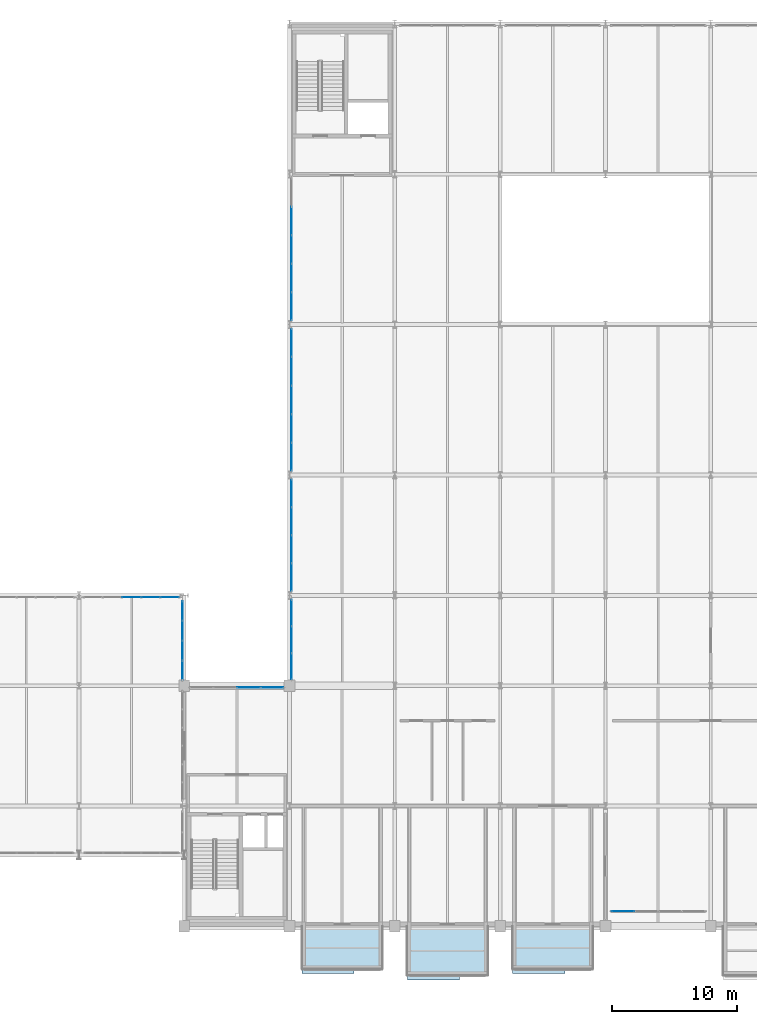
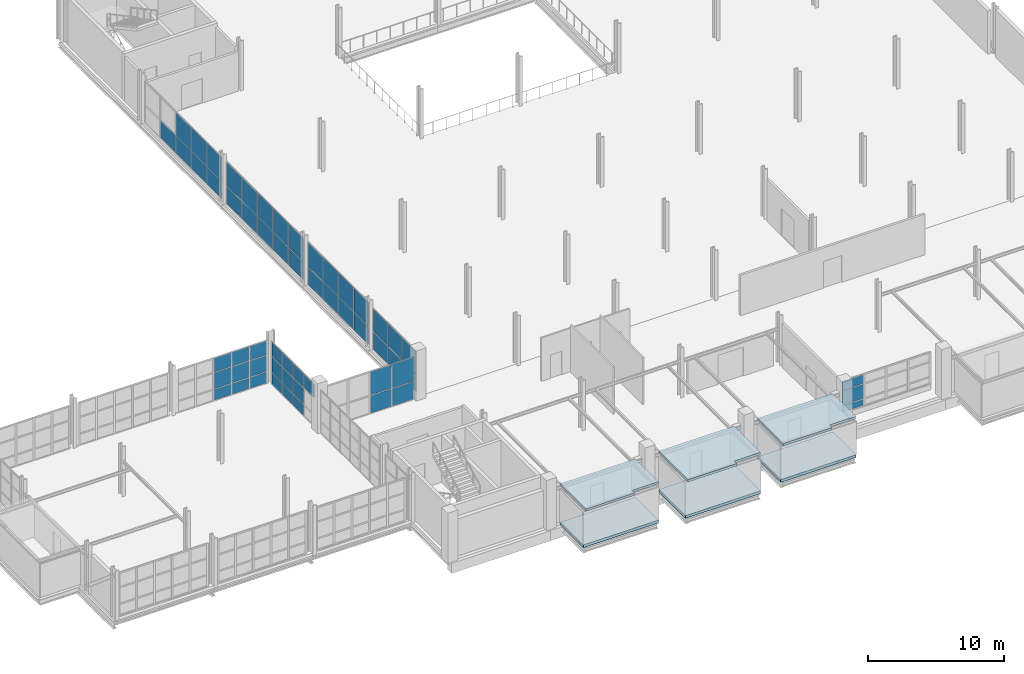
# One storey, part 87 of 109: 57 plates, 6 slabs, 8 elements without a shape of their own.
"""IFC4 building model written with IfcOpenShell, lengths in metres."""

from ifc_helpers import new_model, si_unit, direction, frame, origin, origin_2d, place, context, subcontext, project, spatial, polyline, rectangle, outline, extrude, material, layer, layer_set, type_object, element, aggregate, save


model = new_model("IFC4")

# Units and contexts
model_context = context("Model", 3, precision=1e-05, world=origin(), true_north=direction((0.0, 1.0)))
body_context = subcontext(model_context, "Body", "Model", "MODEL_VIEW")
ifc_project = project(units=[si_unit("LENGTHUNIT", "METRE"), si_unit("AREAUNIT", "SQUARE_METRE"), si_unit("VOLUMEUNIT", "CUBIC_METRE"), si_unit("PLANEANGLEUNIT", "RADIAN"), si_unit("MASSUNIT", "GRAM", prefix="KILO")], contexts=[model_context])

# Site, building, storey
site_placement = place(None, origin())
site = spatial("IfcSite", under=ifc_project, at=site_placement, CompositionType="ELEMENT")
building_placement = place(site_placement, origin())
building = spatial("IfcBuilding", under=site, at=building_placement, Name="Veltarok Museum of Natural Sciences", CompositionType="ELEMENT")
storey_placement = place(building_placement, frame((0.0, 0.0, 17.39990234375)))
storey = spatial("IfcBuildingStorey", under=building, at=storey_placement, Name="L03", CompositionType="ELEMENT", Elevation=17.39990234375)

# Slabs
ifc_material_1 = material(Name="Concrete C35/45", Category="concrete")
ifc_layer_1 = layer(ifc_material_1, 0.199951171875)
ifc_layer_set_1 = layer_set([ifc_layer_1], Name="Concrete C35/45")
slab_type_1 = type_object("IfcSlabType", Name="Cantilevered Cabinet Box Roof Slab 200", PredefinedType="ROOF", material=ifc_layer_set_1)
slab_1_placement = place(storey_placement, frame((0.0, 0.0, 3.25)))
element("IfcSlab", 1, at=slab_1_placement, inside=storey, type_object=slab_type_1, Name="Cabinet Box Roof Slab DB-13", PredefinedType="ROOF", context=body_context, shape_type="SweptSolid", body=[
    extrude(outline(polyline([(41.0, -3.780029296875), (45.159912109375, -3.780029296875), (45.159912109375, -3.39990234375), (47.39990234375, -3.39990234375), (47.39990234375, 0.0), (41.0, 0.0), (41.0, -3.780029296875)])), origin(), (0.0, 0.0, 1.0), 0.2001953125),
])
slab_2_placement = place(storey_placement, frame((0.0, 0.0, 3.25)))
element("IfcSlab", 2, at=slab_2_placement, inside=storey, type_object=slab_type_1, Name="Cabinet Box Roof Slab DB-14", PredefinedType="ROOF", context=body_context, shape_type="SweptSolid", body=[
    extrude(outline(polyline([(49.39990234375, -4.280029296875), (53.56005859375, -4.280029296875), (53.56005859375, -3.89990234375), (55.800048828125, -3.89990234375), (55.800048828125, 0.0), (49.39990234375, 0.0), (49.39990234375, -4.280029296875)])), origin(), (0.0, 0.0, 1.0), 0.2001953125),
])
slab_3_placement = place(storey_placement, frame((0.0, 0.0, 3.25)))
element("IfcSlab", 3, at=slab_3_placement, inside=storey, type_object=slab_type_1, Name="Cabinet Box Roof Slab DB-15", PredefinedType="ROOF", context=body_context, shape_type="SweptSolid", body=[
    extrude(outline(polyline([(57.800048828125, -3.780029296875), (61.9599609375, -3.780029296875), (61.9599609375, -3.39990234375), (64.199951171875, -3.39990234375), (64.199951171875, 0.0), (57.800048828125, 0.0), (57.800048828125, -3.780029296875)])), origin(), (0.0, 0.0, 1.0), 0.2001953125),
])
ifc_layer_2 = layer(ifc_material_1, 0.25)
ifc_layer_set_2 = layer_set([ifc_layer_2], Name="Concrete C35/45")
slab_type_2 = type_object("IfcSlabType", Name="Suspended Museum Floor Slab 250", PredefinedType="FLOOR", material=ifc_layer_set_2)
slab_4_placement = place(storey_placement, frame((0.0, 0.0, -0.25)))
element("IfcSlab", 4, at=slab_4_placement, inside=storey, type_object=slab_type_2, Name="Cabinet Box Floor Slab DB-13", PredefinedType="FLOOR", context=body_context, shape_type="SweptSolid", body=[
    extrude(outline(polyline([(41.0, -3.39990234375), (47.39990234375, -3.39990234375), (47.39990234375, 0.0), (41.0, 0.0), (41.0, -3.39990234375)])), origin(), (0.0, 0.0, 1.0), 0.25),
])
slab_5_placement = place(storey_placement, frame((0.0, 0.0, -0.25)))
element("IfcSlab", 5, at=slab_5_placement, inside=storey, type_object=slab_type_2, Name="Cabinet Box Floor Slab DB-14", PredefinedType="FLOOR", context=body_context, shape_type="SweptSolid", body=[
    extrude(outline(polyline([(49.39990234375, -3.89990234375), (55.800048828125, -3.89990234375), (55.800048828125, 0.0), (49.39990234375, 0.0), (49.39990234375, -3.89990234375)])), origin(), (0.0, 0.0, 1.0), 0.25),
])
slab_6_placement = place(storey_placement, frame((0.0, 0.0, -0.25)))
element("IfcSlab", 6, at=slab_6_placement, inside=storey, type_object=slab_type_2, Name="Cabinet Box Floor Slab DB-15", PredefinedType="FLOOR", context=body_context, shape_type="SweptSolid", body=[
    extrude(outline(polyline([(57.800048828125, -3.39990234375), (64.199951171875, -3.39990234375), (64.199951171875, 0.0), (57.800048828125, 0.0), (57.800048828125, -3.39990234375)])), origin(), (0.0, 0.0, 1.0), 0.25),
])

# Curtain wall, plates
ifc_material_2 = material(Name="Low-iron triple insulated glass", Category="glass")
curtain_wall_type_1 = type_object("IfcCurtainWallType", Name="Curtain Wall System CW-CAB-L03-A-755x288 (V1 Recessed L03 755x288cm)", PredefinedType="NOTDEFINED", material=ifc_material_2)
curtain_wall_1_placement = place(storey_placement, origin())
curtain_wall_1 = element("IfcCurtainWall", 7, at=curtain_wall_1_placement, inside=storey, type_object=curtain_wall_type_1, Name="Curtain Wall CW-CAB-L03-A-755x288 CW-0005", PredefinedType="NOTDEFINED")
ifc_layer_3 = layer(ifc_material_2, 0.028076171875)
ifc_layer_set_3 = layer_set([ifc_layer_3], Name="Low-iron triple insulated glass")
plate_type = type_object("IfcPlateType", Name="Triple Low-Iron Glazed Vision Panel 28", PredefinedType="CURTAIN_PANEL", material=ifc_layer_set_3)
plate_1_placement = place(storey_placement, frame((66.583740234375, 1.199951171875, 0.52001953125), z_axis=(0.0, 0.0, 1.0), x_axis=(1.0, 0.0, 0.0)))
plate_1 = element("IfcPlate", 8, at=plate_1_placement, type_object=plate_type, Name="CW-CAB-L03-A-755x288 panel 1.1", PredefinedType="CURTAIN_PANEL", context=body_context, shape_type="SweptSolid", body=[
    extrude(rectangle(XDim=1.797607421875, YDim=0.028076171875, at=origin_2d()), origin(), (0.0, 0.0, 1.0), 0.550048828125),
])
plate_2_placement = place(storey_placement, frame((66.583740234375, 1.199951171875, 1.130126953125), z_axis=(0.0, 0.0, 1.0), x_axis=(1.0, 0.0, 0.0)))
plate_2 = element("IfcPlate", 9, at=plate_2_placement, type_object=plate_type, Name="CW-CAB-L03-A-755x288 panel 1.2", PredefinedType="CURTAIN_PANEL", context=body_context, shape_type="SweptSolid", body=[
    extrude(rectangle(XDim=1.797607421875, YDim=0.028076171875, at=origin_2d()), origin(), (0.0, 0.0, 1.0), 1.2900390625),
])
plate_3_placement = place(storey_placement, frame((66.583740234375, 1.199951171875, 2.480224609375), z_axis=(0.0, 0.0, 1.0), x_axis=(1.0, 0.0, 0.0)))
plate_3 = element("IfcPlate", 10, at=plate_3_placement, type_object=plate_type, Name="CW-CAB-L03-A-755x288 panel 1.3", PredefinedType="CURTAIN_PANEL", context=body_context, shape_type="SweptSolid", body=[
    extrude(rectangle(XDim=1.797607421875, YDim=0.028076171875, at=origin_2d()), origin(), (0.0, 0.0, 1.0), 0.794921875),
])
aggregate(curtain_wall_1, [plate_1, plate_2, plate_3])

curtain_wall_type_2 = type_object("IfcCurtainWallType", Name="Curtain Wall System CW-BRG-E-L03-CD-636x388 (Bridge East Court L03 CD 636x388cm)", PredefinedType="NOTDEFINED", material=ifc_material_2)
curtain_wall_2_placement = place(storey_placement, origin())
curtain_wall_2 = element("IfcCurtainWall", 11, at=curtain_wall_2_placement, inside=storey, type_object=curtain_wall_type_2, Name="Curtain Wall CW-BRG-E-L03-CD-636x388 CW-0042", PredefinedType="NOTDEFINED")
plate_4_placement = place(storey_placement, frame((31.449951171875, 20.429931640625, 2.580078125), z_axis=(0.0, 0.0, 1.0), x_axis=(0.0, 1.0, 0.0)))
plate_4 = element("IfcPlate", 12, at=plate_4_placement, type_object=plate_type, Name="CW-BRG-E-L03-CD-636x388 panel 1.3", PredefinedType="CURTAIN_PANEL", context=body_context, shape_type="SweptSolid", body=[
    extrude(rectangle(XDim=1.5, YDim=0.028076171875, at=origin_2d()), origin(), (0.0, 0.0, 1.0), 1.239990234375),
])
plate_5_placement = place(storey_placement, frame((31.449951171875, 22.0048828125, 0.06005859375), z_axis=(0.0, 0.0, 1.0), x_axis=(0.0, 1.0, 0.0)))
plate_5 = element("IfcPlate", 13, at=plate_5_placement, type_object=plate_type, Name="CW-BRG-E-L03-CD-636x388 panel 2.1", PredefinedType="CURTAIN_PANEL", context=body_context, shape_type="SweptSolid", body=[
    extrude(rectangle(XDim=1.530029296875, YDim=0.028076171875, at=origin_2d()), origin(), (0.0, 0.0, 1.0), 0.9599609375),
])
plate_6_placement = place(storey_placement, frame((31.449951171875, 22.0048828125, 1.080078125), z_axis=(0.0, 0.0, 1.0), x_axis=(0.0, 1.0, 0.0)))
plate_6 = element("IfcPlate", 14, at=plate_6_placement, type_object=plate_type, Name="CW-BRG-E-L03-CD-636x388 panel 2.2", PredefinedType="CURTAIN_PANEL", context=body_context, shape_type="SweptSolid", body=[
    extrude(rectangle(XDim=1.530029296875, YDim=0.028076171875, at=origin_2d()), origin(), (0.0, 0.0, 1.0), 1.43994140625),
])
plate_7_placement = place(storey_placement, frame((31.449951171875, 22.0048828125, 2.580078125), z_axis=(0.0, 0.0, 1.0), x_axis=(0.0, 1.0, 0.0)))
plate_7 = element("IfcPlate", 15, at=plate_7_placement, type_object=plate_type, Name="CW-BRG-E-L03-CD-636x388 panel 2.3", PredefinedType="CURTAIN_PANEL", context=body_context, shape_type="SweptSolid", body=[
    extrude(rectangle(XDim=1.530029296875, YDim=0.028076171875, at=origin_2d()), origin(), (0.0, 0.0, 1.0), 1.239990234375),
])
plate_8_placement = place(storey_placement, frame((31.449951171875, 23.594970703125, 0.06005859375), z_axis=(0.0, 0.0, 1.0), x_axis=(0.0, 1.0, 0.0)))
plate_8 = element("IfcPlate", 16, at=plate_8_placement, type_object=plate_type, Name="CW-BRG-E-L03-CD-636x388 panel 3.1", PredefinedType="CURTAIN_PANEL", context=body_context, shape_type="SweptSolid", body=[
    extrude(rectangle(XDim=1.530029296875, YDim=0.028076171875, at=origin_2d()), origin(), (0.0, 0.0, 1.0), 0.9599609375),
])
plate_9_placement = place(storey_placement, frame((31.449951171875, 23.594970703125, 1.080078125), z_axis=(0.0, 0.0, 1.0), x_axis=(0.0, 1.0, 0.0)))
plate_9 = element("IfcPlate", 17, at=plate_9_placement, type_object=plate_type, Name="CW-BRG-E-L03-CD-636x388 panel 3.2", PredefinedType="CURTAIN_PANEL", context=body_context, shape_type="SweptSolid", body=[
    extrude(rectangle(XDim=1.530029296875, YDim=0.028076171875, at=origin_2d()), origin(), (0.0, 0.0, 1.0), 1.43994140625),
])
plate_10_placement = place(storey_placement, frame((31.449951171875, 23.594970703125, 2.580078125), z_axis=(0.0, 0.0, 1.0), x_axis=(0.0, 1.0, 0.0)))
plate_10 = element("IfcPlate", 18, at=plate_10_placement, type_object=plate_type, Name="CW-BRG-E-L03-CD-636x388 panel 3.3", PredefinedType="CURTAIN_PANEL", context=body_context, shape_type="SweptSolid", body=[
    extrude(rectangle(XDim=1.530029296875, YDim=0.028076171875, at=origin_2d()), origin(), (0.0, 0.0, 1.0), 1.239990234375),
])
plate_11_placement = place(storey_placement, frame((31.449951171875, 25.169921875, 0.06005859375), z_axis=(0.0, 0.0, 1.0), x_axis=(0.0, 1.0, 0.0)))
plate_11 = element("IfcPlate", 19, at=plate_11_placement, type_object=plate_type, Name="CW-BRG-E-L03-CD-636x388 panel 4.1", PredefinedType="CURTAIN_PANEL", context=body_context, shape_type="SweptSolid", body=[
    extrude(rectangle(XDim=1.5, YDim=0.028076171875, at=origin_2d()), origin(), (0.0, 0.0, 1.0), 0.9599609375),
])
plate_12_placement = place(storey_placement, frame((31.449951171875, 25.169921875, 1.080078125), z_axis=(0.0, 0.0, 1.0), x_axis=(0.0, 1.0, 0.0)))
plate_12 = element("IfcPlate", 20, at=plate_12_placement, type_object=plate_type, Name="CW-BRG-E-L03-CD-636x388 panel 4.2", PredefinedType="CURTAIN_PANEL", context=body_context, shape_type="SweptSolid", body=[
    extrude(rectangle(XDim=1.5, YDim=0.028076171875, at=origin_2d()), origin(), (0.0, 0.0, 1.0), 1.43994140625),
])
plate_13_placement = place(storey_placement, frame((31.449951171875, 25.169921875, 2.580078125), z_axis=(0.0, 0.0, 1.0), x_axis=(0.0, 1.0, 0.0)))
plate_13 = element("IfcPlate", 21, at=plate_13_placement, type_object=plate_type, Name="CW-BRG-E-L03-CD-636x388 panel 4.3", PredefinedType="CURTAIN_PANEL", context=body_context, shape_type="SweptSolid", body=[
    extrude(rectangle(XDim=1.5, YDim=0.028076171875, at=origin_2d()), origin(), (0.0, 0.0, 1.0), 1.239990234375),
])
aggregate(curtain_wall_2, [plate_4, plate_5, plate_6, plate_7, plate_8, plate_9, plate_10, plate_11, plate_12, plate_13])

curtain_wall_type_3 = type_object("IfcCurtainWallType", Name="Curtain Wall System CW-BRG-N-L03-3-768x388 (Bridge North Court L03 3-4 768x388cm)", PredefinedType="NOTDEFINED", material=ifc_material_2)
curtain_wall_3_placement = place(storey_placement, origin())
curtain_wall_3 = element("IfcCurtainWall", 22, at=curtain_wall_3_placement, inside=storey, type_object=curtain_wall_type_3, Name="Curtain Wall CW-BRG-N-L03-3-768x388 CW-0045", PredefinedType="NOTDEFINED")
plate_14_placement = place(storey_placement, frame((30.45703125, 26.25, 0.06005859375), z_axis=(0.0, 0.0, 1.0), x_axis=(-1.0, 0.0, 0.0)))
plate_14 = element("IfcPlate", 23, at=plate_14_placement, type_object=plate_type, Name="CW-BRG-N-L03-3-768x388 panel 1.1", PredefinedType="CURTAIN_PANEL", context=body_context, shape_type="SweptSolid", body=[
    extrude(rectangle(XDim=1.446044921875, YDim=0.028076171875, at=origin_2d()), origin(), (0.0, 0.0, 1.0), 0.9599609375),
])
plate_15_placement = place(storey_placement, frame((30.45703125, 26.25, 1.080078125), z_axis=(0.0, 0.0, 1.0), x_axis=(-1.0, 0.0, 0.0)))
plate_15 = element("IfcPlate", 24, at=plate_15_placement, type_object=plate_type, Name="CW-BRG-N-L03-3-768x388 panel 1.2", PredefinedType="CURTAIN_PANEL", context=body_context, shape_type="SweptSolid", body=[
    extrude(rectangle(XDim=1.446044921875, YDim=0.028076171875, at=origin_2d()), origin(), (0.0, 0.0, 1.0), 1.43994140625),
])
plate_16_placement = place(storey_placement, frame((30.45703125, 26.25, 2.580078125), z_axis=(0.0, 0.0, 1.0), x_axis=(-1.0, 0.0, 0.0)))
plate_16 = element("IfcPlate", 25, at=plate_16_placement, type_object=plate_type, Name="CW-BRG-N-L03-3-768x388 panel 1.3", PredefinedType="CURTAIN_PANEL", context=body_context, shape_type="SweptSolid", body=[
    extrude(rectangle(XDim=1.446044921875, YDim=0.028076171875, at=origin_2d()), origin(), (0.0, 0.0, 1.0), 1.239990234375),
])
plate_17_placement = place(storey_placement, frame((28.93603515625, 26.25, 0.06005859375), z_axis=(0.0, 0.0, 1.0), x_axis=(-1.0, 0.0, 0.0)))
plate_17 = element("IfcPlate", 26, at=plate_17_placement, type_object=plate_type, Name="CW-BRG-N-L03-3-768x388 panel 2.1", PredefinedType="CURTAIN_PANEL", context=body_context, shape_type="SweptSolid", body=[
    extrude(rectangle(XDim=1.47607421875, YDim=0.028076171875, at=origin_2d()), origin(), (0.0, 0.0, 1.0), 0.9599609375),
])
plate_18_placement = place(storey_placement, frame((28.93603515625, 26.25, 1.080078125), z_axis=(0.0, 0.0, 1.0), x_axis=(-1.0, 0.0, 0.0)))
plate_18 = element("IfcPlate", 27, at=plate_18_placement, type_object=plate_type, Name="CW-BRG-N-L03-3-768x388 panel 2.2", PredefinedType="CURTAIN_PANEL", context=body_context, shape_type="SweptSolid", body=[
    extrude(rectangle(XDim=1.47607421875, YDim=0.028076171875, at=origin_2d()), origin(), (0.0, 0.0, 1.0), 1.43994140625),
])
plate_19_placement = place(storey_placement, frame((28.93603515625, 26.25, 2.580078125), z_axis=(0.0, 0.0, 1.0), x_axis=(-1.0, 0.0, 0.0)))
plate_19 = element("IfcPlate", 28, at=plate_19_placement, type_object=plate_type, Name="CW-BRG-N-L03-3-768x388 panel 2.3", PredefinedType="CURTAIN_PANEL", context=body_context, shape_type="SweptSolid", body=[
    extrude(rectangle(XDim=1.47607421875, YDim=0.028076171875, at=origin_2d()), origin(), (0.0, 0.0, 1.0), 1.239990234375),
])
plate_20_placement = place(storey_placement, frame((27.39990234375, 26.25, 0.06005859375), z_axis=(0.0, 0.0, 1.0), x_axis=(-1.0, 0.0, 0.0)))
plate_20 = element("IfcPlate", 29, at=plate_20_placement, type_object=plate_type, Name="CW-BRG-N-L03-3-768x388 panel 3.1", PredefinedType="CURTAIN_PANEL", context=body_context, shape_type="SweptSolid", body=[
    extrude(rectangle(XDim=1.47607421875, YDim=0.028076171875, at=origin_2d()), origin(), (0.0, 0.0, 1.0), 0.9599609375),
])
plate_21_placement = place(storey_placement, frame((27.39990234375, 26.25, 1.080078125), z_axis=(0.0, 0.0, 1.0), x_axis=(-1.0, 0.0, 0.0)))
plate_21 = element("IfcPlate", 30, at=plate_21_placement, type_object=plate_type, Name="CW-BRG-N-L03-3-768x388 panel 3.2", PredefinedType="CURTAIN_PANEL", context=body_context, shape_type="SweptSolid", body=[
    extrude(rectangle(XDim=1.47607421875, YDim=0.028076171875, at=origin_2d()), origin(), (0.0, 0.0, 1.0), 1.43994140625),
])
plate_22_placement = place(storey_placement, frame((27.39990234375, 26.25, 2.580078125), z_axis=(0.0, 0.0, 1.0), x_axis=(-1.0, 0.0, 0.0)))
plate_22 = element("IfcPlate", 31, at=plate_22_placement, type_object=plate_type, Name="CW-BRG-N-L03-3-768x388 panel 3.3", PredefinedType="CURTAIN_PANEL", context=body_context, shape_type="SweptSolid", body=[
    extrude(rectangle(XDim=1.47607421875, YDim=0.028076171875, at=origin_2d()), origin(), (0.0, 0.0, 1.0), 1.239990234375),
])
aggregate(curtain_wall_3, [plate_14, plate_15, plate_16, plate_17, plate_18, plate_19, plate_20, plate_21, plate_22])

curtain_wall_type_4 = type_object("IfcCurtainWallType", Name="Curtain Wall System CW-V2W-L03-3-645x373 (CW-V2W L03 645x373cm)", PredefinedType="NOTDEFINED", material=ifc_material_2)
curtain_wall_4_placement = place(storey_placement, origin())
curtain_wall_4 = element("IfcCurtainWall", 32, at=curtain_wall_4_placement, inside=storey, type_object=curtain_wall_type_4, Name="Curtain Wall CW-V2W-L03-3-645x373 CW-0143", PredefinedType="NOTDEFINED")
plate_23_placement = place(storey_placement, frame((40.14990234375, 20.739990234375, 0.05810546875), z_axis=(0.0, 0.0, 1.0), x_axis=(0.0, 1.0, 0.0)))
plate_23 = element("IfcPlate", 33, at=plate_23_placement, type_object=plate_type, Name="CW-V2W-L03-3-645x373 panel 1.1", PredefinedType="CURTAIN_PANEL", context=body_context, shape_type="SweptSolid", body=[
    extrude(rectangle(XDim=2.06005859375, YDim=0.028076171875, at=origin_2d()), origin(), (0.0, 0.0, 1.0), 1.56005859375),
])
plate_24_placement = place(storey_placement, frame((40.14990234375, 20.739990234375, 1.67822265625), z_axis=(0.0, 0.0, 1.0), x_axis=(0.0, 1.0, 0.0)))
plate_24 = element("IfcPlate", 34, at=plate_24_placement, type_object=plate_type, Name="CW-V2W-L03-3-645x373 panel 1.2", PredefinedType="CURTAIN_PANEL", context=body_context, shape_type="SweptSolid", body=[
    extrude(rectangle(XDim=2.06005859375, YDim=0.028076171875, at=origin_2d()), origin(), (0.0, 0.0, 1.0), 1.991943359375),
])
plate_25_placement = place(storey_placement, frame((40.14990234375, 22.875, 0.05810546875), z_axis=(0.0, 0.0, 1.0), x_axis=(0.0, 1.0, 0.0)))
plate_25 = element("IfcPlate", 35, at=plate_25_placement, type_object=plate_type, Name="CW-V2W-L03-3-645x373 panel 2.1", PredefinedType="CURTAIN_PANEL", context=body_context, shape_type="SweptSolid", body=[
    extrude(rectangle(XDim=2.090087890625, YDim=0.028076171875, at=origin_2d()), origin(), (0.0, 0.0, 1.0), 1.56005859375),
])
plate_26_placement = place(storey_placement, frame((40.14990234375, 22.875, 1.67822265625), z_axis=(0.0, 0.0, 1.0), x_axis=(0.0, 1.0, 0.0)))
plate_26 = element("IfcPlate", 36, at=plate_26_placement, type_object=plate_type, Name="CW-V2W-L03-3-645x373 panel 2.2", PredefinedType="CURTAIN_PANEL", context=body_context, shape_type="SweptSolid", body=[
    extrude(rectangle(XDim=2.090087890625, YDim=0.028076171875, at=origin_2d()), origin(), (0.0, 0.0, 1.0), 1.991943359375),
])
plate_27_placement = place(storey_placement, frame((40.14990234375, 25.010009765625, 0.05810546875), z_axis=(0.0, 0.0, 1.0), x_axis=(0.0, 1.0, 0.0)))
plate_27 = element("IfcPlate", 37, at=plate_27_placement, type_object=plate_type, Name="CW-V2W-L03-3-645x373 panel 3.1", PredefinedType="CURTAIN_PANEL", context=body_context, shape_type="SweptSolid", body=[
    extrude(rectangle(XDim=2.06005859375, YDim=0.028076171875, at=origin_2d()), origin(), (0.0, 0.0, 1.0), 1.56005859375),
])
plate_28_placement = place(storey_placement, frame((40.14990234375, 25.010009765625, 1.67822265625), z_axis=(0.0, 0.0, 1.0), x_axis=(0.0, 1.0, 0.0)))
plate_28 = element("IfcPlate", 38, at=plate_28_placement, type_object=plate_type, Name="CW-V2W-L03-3-645x373 panel 3.2", PredefinedType="CURTAIN_PANEL", context=body_context, shape_type="SweptSolid", body=[
    extrude(rectangle(XDim=2.06005859375, YDim=0.028076171875, at=origin_2d()), origin(), (0.0, 0.0, 1.0), 1.991943359375),
])
aggregate(curtain_wall_4, [plate_23, plate_24, plate_25, plate_26, plate_27, plate_28])

curtain_wall_type_5 = type_object("IfcCurtainWallType", Name="Curtain Wall System CW-V2W-L03-0-900x388 (CW-V2W L03 900x388cm)", PredefinedType="NOTDEFINED", material=ifc_material_2)
curtain_wall_5_placement = place(storey_placement, origin())
curtain_wall_5 = element("IfcCurtainWall", 39, at=curtain_wall_5_placement, inside=storey, type_object=curtain_wall_type_5, Name="Curtain Wall CW-V2W-L03-0-900x388 CW-0144", PredefinedType="NOTDEFINED")
plate_29_placement = place(storey_placement, frame((40.14990234375, 27.840087890625, 0.05810546875), z_axis=(0.0, 0.0, 1.0), x_axis=(0.0, 1.0, 0.0)))
plate_29 = element("IfcPlate", 40, at=plate_29_placement, type_object=plate_type, Name="CW-V2W-L03-0-900x388 panel 1.1", PredefinedType="CURTAIN_PANEL", context=body_context, shape_type="SweptSolid", body=[
    extrude(rectangle(XDim=2.159912109375, YDim=0.028076171875, at=origin_2d()), origin(), (0.0, 0.0, 1.0), 1.56005859375),
])
plate_30_placement = place(storey_placement, frame((40.14990234375, 27.840087890625, 1.677978515625), z_axis=(0.0, 0.0, 1.0), x_axis=(0.0, 1.0, 0.0)))
plate_30 = element("IfcPlate", 41, at=plate_30_placement, type_object=plate_type, Name="CW-V2W-L03-0-900x388 panel 1.2", PredefinedType="CURTAIN_PANEL", context=body_context, shape_type="SweptSolid", body=[
    extrude(rectangle(XDim=2.159912109375, YDim=0.028076171875, at=origin_2d()), origin(), (0.0, 0.0, 1.0), 2.14208984375),
])
plate_31_placement = place(storey_placement, frame((40.14990234375, 30.074951171875, 0.05810546875), z_axis=(0.0, 0.0, 1.0), x_axis=(0.0, 1.0, 0.0)))
plate_31 = element("IfcPlate", 42, at=plate_31_placement, type_object=plate_type, Name="CW-V2W-L03-0-900x388 panel 2.1", PredefinedType="CURTAIN_PANEL", context=body_context, shape_type="SweptSolid", body=[
    extrude(rectangle(XDim=2.18994140625, YDim=0.028076171875, at=origin_2d()), origin(), (0.0, 0.0, 1.0), 1.56005859375),
])
plate_32_placement = place(storey_placement, frame((40.14990234375, 30.074951171875, 1.677978515625), z_axis=(0.0, 0.0, 1.0), x_axis=(0.0, 1.0, 0.0)))
plate_32 = element("IfcPlate", 43, at=plate_32_placement, type_object=plate_type, Name="CW-V2W-L03-0-900x388 panel 2.2", PredefinedType="CURTAIN_PANEL", context=body_context, shape_type="SweptSolid", body=[
    extrude(rectangle(XDim=2.18994140625, YDim=0.028076171875, at=origin_2d()), origin(), (0.0, 0.0, 1.0), 2.14208984375),
])
plate_33_placement = place(storey_placement, frame((40.14990234375, 32.324951171875, 0.05810546875), z_axis=(0.0, 0.0, 1.0), x_axis=(0.0, 1.0, 0.0)))
plate_33 = element("IfcPlate", 44, at=plate_33_placement, type_object=plate_type, Name="CW-V2W-L03-0-900x388 panel 3.1", PredefinedType="CURTAIN_PANEL", context=body_context, shape_type="SweptSolid", body=[
    extrude(rectangle(XDim=2.18994140625, YDim=0.028076171875, at=origin_2d()), origin(), (0.0, 0.0, 1.0), 1.56005859375),
])
plate_34_placement = place(storey_placement, frame((40.14990234375, 32.324951171875, 1.677978515625), z_axis=(0.0, 0.0, 1.0), x_axis=(0.0, 1.0, 0.0)))
plate_34 = element("IfcPlate", 45, at=plate_34_placement, type_object=plate_type, Name="CW-V2W-L03-0-900x388 panel 3.2", PredefinedType="CURTAIN_PANEL", context=body_context, shape_type="SweptSolid", body=[
    extrude(rectangle(XDim=2.18994140625, YDim=0.028076171875, at=origin_2d()), origin(), (0.0, 0.0, 1.0), 2.14208984375),
])
plate_35_placement = place(storey_placement, frame((40.14990234375, 34.56005859375, 0.05810546875), z_axis=(0.0, 0.0, 1.0), x_axis=(0.0, 1.0, 0.0)))
plate_35 = element("IfcPlate", 46, at=plate_35_placement, type_object=plate_type, Name="CW-V2W-L03-0-900x388 panel 4.1", PredefinedType="CURTAIN_PANEL", context=body_context, shape_type="SweptSolid", body=[
    extrude(rectangle(XDim=2.159912109375, YDim=0.028076171875, at=origin_2d()), origin(), (0.0, 0.0, 1.0), 1.56005859375),
])
plate_36_placement = place(storey_placement, frame((40.14990234375, 34.56005859375, 1.677978515625), z_axis=(0.0, 0.0, 1.0), x_axis=(0.0, 1.0, 0.0)))
plate_36 = element("IfcPlate", 47, at=plate_36_placement, type_object=plate_type, Name="CW-V2W-L03-0-900x388 panel 4.2", PredefinedType="CURTAIN_PANEL", context=body_context, shape_type="SweptSolid", body=[
    extrude(rectangle(XDim=2.159912109375, YDim=0.028076171875, at=origin_2d()), origin(), (0.0, 0.0, 1.0), 2.14208984375),
])
aggregate(curtain_wall_5, [plate_29, plate_30, plate_31, plate_32, plate_33, plate_34, plate_35, plate_36])

curtain_wall_type_6 = type_object("IfcCurtainWallType", Name="Curtain Wall System CW-V2W-L03-1-1140x383 (CW-V2W L03 1140x383cm)", PredefinedType="NOTDEFINED", material=ifc_material_2)
curtain_wall_6_placement = place(storey_placement, origin())
curtain_wall_6 = element("IfcCurtainWall", 48, at=curtain_wall_6_placement, inside=storey, type_object=curtain_wall_type_6, Name="Curtain Wall CW-V2W-L03-1-1140x383 CW-0145", PredefinedType="NOTDEFINED")
plate_37_placement = place(storey_placement, frame((40.14990234375, 37.455078125, 0.05810546875), z_axis=(0.0, 0.0, 1.0), x_axis=(0.0, 1.0, 0.0)))
plate_37 = element("IfcPlate", 49, at=plate_37_placement, type_object=plate_type, Name="CW-V2W-L03-1-1140x383 panel 1.1", PredefinedType="CURTAIN_PANEL", context=body_context, shape_type="SweptSolid", body=[
    extrude(rectangle(XDim=2.18994140625, YDim=0.028076171875, at=origin_2d()), origin(), (0.0, 0.0, 1.0), 1.56005859375),
])
plate_38_placement = place(storey_placement, frame((40.14990234375, 37.455078125, 1.67822265625), z_axis=(0.0, 0.0, 1.0), x_axis=(0.0, 1.0, 0.0)))
plate_38 = element("IfcPlate", 50, at=plate_38_placement, type_object=plate_type, Name="CW-V2W-L03-1-1140x383 panel 1.2", PredefinedType="CURTAIN_PANEL", context=body_context, shape_type="SweptSolid", body=[
    extrude(rectangle(XDim=2.18994140625, YDim=0.028076171875, at=origin_2d()), origin(), (0.0, 0.0, 1.0), 2.092041015625),
])
plate_39_placement = place(storey_placement, frame((40.14990234375, 39.719970703125, 0.05810546875), z_axis=(0.0, 0.0, 1.0), x_axis=(0.0, 1.0, 0.0)))
plate_39 = element("IfcPlate", 51, at=plate_39_placement, type_object=plate_type, Name="CW-V2W-L03-1-1140x383 panel 2.1", PredefinedType="CURTAIN_PANEL", context=body_context, shape_type="SweptSolid", body=[
    extrude(rectangle(XDim=2.219970703125, YDim=0.028076171875, at=origin_2d()), origin(), (0.0, 0.0, 1.0), 1.56005859375),
])
plate_40_placement = place(storey_placement, frame((40.14990234375, 39.719970703125, 1.67822265625), z_axis=(0.0, 0.0, 1.0), x_axis=(0.0, 1.0, 0.0)))
plate_40 = element("IfcPlate", 52, at=plate_40_placement, type_object=plate_type, Name="CW-V2W-L03-1-1140x383 panel 2.2", PredefinedType="CURTAIN_PANEL", context=body_context, shape_type="SweptSolid", body=[
    extrude(rectangle(XDim=2.219970703125, YDim=0.028076171875, at=origin_2d()), origin(), (0.0, 0.0, 1.0), 2.092041015625),
])
plate_41_placement = place(storey_placement, frame((40.14990234375, 42.0, 0.05810546875), z_axis=(0.0, 0.0, 1.0), x_axis=(0.0, 1.0, 0.0)))
plate_41 = element("IfcPlate", 53, at=plate_41_placement, type_object=plate_type, Name="CW-V2W-L03-1-1140x383 panel 3.1", PredefinedType="CURTAIN_PANEL", context=body_context, shape_type="SweptSolid", body=[
    extrude(rectangle(XDim=2.219970703125, YDim=0.028076171875, at=origin_2d()), origin(), (0.0, 0.0, 1.0), 1.56005859375),
])
plate_42_placement = place(storey_placement, frame((40.14990234375, 42.0, 1.67822265625), z_axis=(0.0, 0.0, 1.0), x_axis=(0.0, 1.0, 0.0)))
plate_42 = element("IfcPlate", 54, at=plate_42_placement, type_object=plate_type, Name="CW-V2W-L03-1-1140x383 panel 3.2", PredefinedType="CURTAIN_PANEL", context=body_context, shape_type="SweptSolid", body=[
    extrude(rectangle(XDim=2.219970703125, YDim=0.028076171875, at=origin_2d()), origin(), (0.0, 0.0, 1.0), 2.092041015625),
])
plate_43_placement = place(storey_placement, frame((40.14990234375, 44.280029296875, 0.05810546875), z_axis=(0.0, 0.0, 1.0), x_axis=(0.0, 1.0, 0.0)))
plate_43 = element("IfcPlate", 55, at=plate_43_placement, type_object=plate_type, Name="CW-V2W-L03-1-1140x383 panel 4.1", PredefinedType="CURTAIN_PANEL", context=body_context, shape_type="SweptSolid", body=[
    extrude(rectangle(XDim=2.219970703125, YDim=0.028076171875, at=origin_2d()), origin(), (0.0, 0.0, 1.0), 1.56005859375),
])
plate_44_placement = place(storey_placement, frame((40.14990234375, 44.280029296875, 1.67822265625), z_axis=(0.0, 0.0, 1.0), x_axis=(0.0, 1.0, 0.0)))
plate_44 = element("IfcPlate", 56, at=plate_44_placement, type_object=plate_type, Name="CW-V2W-L03-1-1140x383 panel 4.2", PredefinedType="CURTAIN_PANEL", context=body_context, shape_type="SweptSolid", body=[
    extrude(rectangle(XDim=2.219970703125, YDim=0.028076171875, at=origin_2d()), origin(), (0.0, 0.0, 1.0), 2.092041015625),
])
plate_45_placement = place(storey_placement, frame((40.14990234375, 46.544921875, 0.05810546875), z_axis=(0.0, 0.0, 1.0), x_axis=(0.0, 1.0, 0.0)))
plate_45 = element("IfcPlate", 57, at=plate_45_placement, type_object=plate_type, Name="CW-V2W-L03-1-1140x383 panel 5.1", PredefinedType="CURTAIN_PANEL", context=body_context, shape_type="SweptSolid", body=[
    extrude(rectangle(XDim=2.18994140625, YDim=0.028076171875, at=origin_2d()), origin(), (0.0, 0.0, 1.0), 1.56005859375),
])
plate_46_placement = place(storey_placement, frame((40.14990234375, 46.544921875, 1.67822265625), z_axis=(0.0, 0.0, 1.0), x_axis=(0.0, 1.0, 0.0)))
plate_46 = element("IfcPlate", 58, at=plate_46_placement, type_object=plate_type, Name="CW-V2W-L03-1-1140x383 panel 5.2", PredefinedType="CURTAIN_PANEL", context=body_context, shape_type="SweptSolid", body=[
    extrude(rectangle(XDim=2.18994140625, YDim=0.028076171875, at=origin_2d()), origin(), (0.0, 0.0, 1.0), 2.092041015625),
])
aggregate(curtain_wall_6, [plate_37, plate_38, plate_39, plate_40, plate_41, plate_42, plate_43, plate_44, plate_45, plate_46])

curtain_wall_type_7 = type_object("IfcCurtainWallType", Name="Curtain Wall System CW-V2W-L03-2-1140x378 (CW-V2W L03 1140x378cm)", PredefinedType="NOTDEFINED", material=ifc_material_2)
curtain_wall_7_placement = place(storey_placement, origin())
curtain_wall_7 = element("IfcCurtainWall", 59, at=curtain_wall_7_placement, inside=storey, type_object=curtain_wall_type_7, Name="Curtain Wall CW-V2W-L03-2-1140x378 CW-0146", PredefinedType="NOTDEFINED")
plate_47_placement = place(storey_placement, frame((40.14990234375, 49.455078125, 0.05810546875), z_axis=(0.0, 0.0, 1.0), x_axis=(0.0, 1.0, 0.0)))
plate_47 = element("IfcPlate", 60, at=plate_47_placement, type_object=plate_type, Name="CW-V2W-L03-2-1140x378 panel 1.1", PredefinedType="CURTAIN_PANEL", context=body_context, shape_type="SweptSolid", body=[
    extrude(rectangle(XDim=2.18994140625, YDim=0.028076171875, at=origin_2d()), origin(), (0.0, 0.0, 1.0), 1.56005859375),
])
plate_48_placement = place(storey_placement, frame((40.14990234375, 49.455078125, 1.67822265625), z_axis=(0.0, 0.0, 1.0), x_axis=(0.0, 1.0, 0.0)))
plate_48 = element("IfcPlate", 61, at=plate_48_placement, type_object=plate_type, Name="CW-V2W-L03-2-1140x378 panel 1.2", PredefinedType="CURTAIN_PANEL", context=body_context, shape_type="SweptSolid", body=[
    extrude(rectangle(XDim=2.18994140625, YDim=0.028076171875, at=origin_2d()), origin(), (0.0, 0.0, 1.0), 2.0419921875),
])
plate_49_placement = place(storey_placement, frame((40.14990234375, 51.719970703125, 0.05810546875), z_axis=(0.0, 0.0, 1.0), x_axis=(0.0, 1.0, 0.0)))
plate_49 = element("IfcPlate", 62, at=plate_49_placement, type_object=plate_type, Name="CW-V2W-L03-2-1140x378 panel 2.1", PredefinedType="CURTAIN_PANEL", context=body_context, shape_type="SweptSolid", body=[
    extrude(rectangle(XDim=2.219970703125, YDim=0.028076171875, at=origin_2d()), origin(), (0.0, 0.0, 1.0), 1.56005859375),
])
plate_50_placement = place(storey_placement, frame((40.14990234375, 51.719970703125, 1.67822265625), z_axis=(0.0, 0.0, 1.0), x_axis=(0.0, 1.0, 0.0)))
plate_50 = element("IfcPlate", 63, at=plate_50_placement, type_object=plate_type, Name="CW-V2W-L03-2-1140x378 panel 2.2", PredefinedType="CURTAIN_PANEL", context=body_context, shape_type="SweptSolid", body=[
    extrude(rectangle(XDim=2.219970703125, YDim=0.028076171875, at=origin_2d()), origin(), (0.0, 0.0, 1.0), 2.0419921875),
])
plate_51_placement = place(storey_placement, frame((40.14990234375, 54.0, 0.05810546875), z_axis=(0.0, 0.0, 1.0), x_axis=(0.0, 1.0, 0.0)))
plate_51 = element("IfcPlate", 64, at=plate_51_placement, type_object=plate_type, Name="CW-V2W-L03-2-1140x378 panel 3.1", PredefinedType="CURTAIN_PANEL", context=body_context, shape_type="SweptSolid", body=[
    extrude(rectangle(XDim=2.219970703125, YDim=0.028076171875, at=origin_2d()), origin(), (0.0, 0.0, 1.0), 1.56005859375),
])
plate_52_placement = place(storey_placement, frame((40.14990234375, 54.0, 1.67822265625), z_axis=(0.0, 0.0, 1.0), x_axis=(0.0, 1.0, 0.0)))
plate_52 = element("IfcPlate", 65, at=plate_52_placement, type_object=plate_type, Name="CW-V2W-L03-2-1140x378 panel 3.2", PredefinedType="CURTAIN_PANEL", context=body_context, shape_type="SweptSolid", body=[
    extrude(rectangle(XDim=2.219970703125, YDim=0.028076171875, at=origin_2d()), origin(), (0.0, 0.0, 1.0), 2.0419921875),
])
plate_53_placement = place(storey_placement, frame((40.14990234375, 56.280029296875, 0.05810546875), z_axis=(0.0, 0.0, 1.0), x_axis=(0.0, 1.0, 0.0)))
plate_53 = element("IfcPlate", 66, at=plate_53_placement, type_object=plate_type, Name="CW-V2W-L03-2-1140x378 panel 4.1", PredefinedType="CURTAIN_PANEL", context=body_context, shape_type="SweptSolid", body=[
    extrude(rectangle(XDim=2.219970703125, YDim=0.028076171875, at=origin_2d()), origin(), (0.0, 0.0, 1.0), 1.56005859375),
])
aggregate(curtain_wall_7, [plate_47, plate_48, plate_49, plate_50, plate_51, plate_52, plate_53])

curtain_wall_type_8 = type_object("IfcCurtainWallType", Name="Curtain Wall System CW-V1CNW-L03-1-755x383 (CW-V1CNW L03 755x383cm)", PredefinedType="NOTDEFINED", material=ifc_material_2)
curtain_wall_8_placement = place(storey_placement, origin())
curtain_wall_8 = element("IfcCurtainWall", 67, at=curtain_wall_8_placement, inside=storey, type_object=curtain_wall_type_8, Name="Curtain Wall CW-V1CNW-L03-1-755x383 CW-0161", PredefinedType="NOTDEFINED")
plate_54_placement = place(storey_placement, frame((38.6162109375, 19.050048828125, 0.05810546875), z_axis=(0.0, 0.0, 1.0), x_axis=(-1.0, 0.0, 0.0)))
plate_54 = element("IfcPlate", 68, at=plate_54_placement, type_object=plate_type, Name="CW-V1CNW-L03-1-755x383 panel 1.1", PredefinedType="CURTAIN_PANEL", context=body_context, shape_type="SweptSolid", body=[
    extrude(rectangle(XDim=1.797607421875, YDim=0.028076171875, at=origin_2d()), origin(), (0.0, 0.0, 1.0), 1.56005859375),
])
plate_55_placement = place(storey_placement, frame((38.6162109375, 19.050048828125, 1.67822265625), z_axis=(0.0, 0.0, 1.0), x_axis=(-1.0, 0.0, 0.0)))
plate_55 = element("IfcPlate", 69, at=plate_55_placement, type_object=plate_type, Name="CW-V1CNW-L03-1-755x383 panel 1.2", PredefinedType="CURTAIN_PANEL", context=body_context, shape_type="SweptSolid", body=[
    extrude(rectangle(XDim=1.797607421875, YDim=0.028076171875, at=origin_2d()), origin(), (0.0, 0.0, 1.0), 2.092041015625),
])
plate_56_placement = place(storey_placement, frame((36.74365234375, 19.050048828125, 0.05810546875), z_axis=(0.0, 0.0, 1.0), x_axis=(-1.0, 0.0, 0.0)))
plate_56 = element("IfcPlate", 70, at=plate_56_placement, type_object=plate_type, Name="CW-V1CNW-L03-1-755x383 panel 2.1", PredefinedType="CURTAIN_PANEL", context=body_context, shape_type="SweptSolid", body=[
    extrude(rectangle(XDim=1.827392578125, YDim=0.028076171875, at=origin_2d()), origin(), (0.0, 0.0, 1.0), 1.56005859375),
])
plate_57_placement = place(storey_placement, frame((36.74365234375, 19.050048828125, 1.67822265625), z_axis=(0.0, 0.0, 1.0), x_axis=(-1.0, 0.0, 0.0)))
plate_57 = element("IfcPlate", 71, at=plate_57_placement, type_object=plate_type, Name="CW-V1CNW-L03-1-755x383 panel 2.2", PredefinedType="CURTAIN_PANEL", context=body_context, shape_type="SweptSolid", body=[
    extrude(rectangle(XDim=1.827392578125, YDim=0.028076171875, at=origin_2d()), origin(), (0.0, 0.0, 1.0), 2.092041015625),
])
aggregate(curtain_wall_8, [plate_54, plate_55, plate_56, plate_57])

save(model, "model.ifc")
